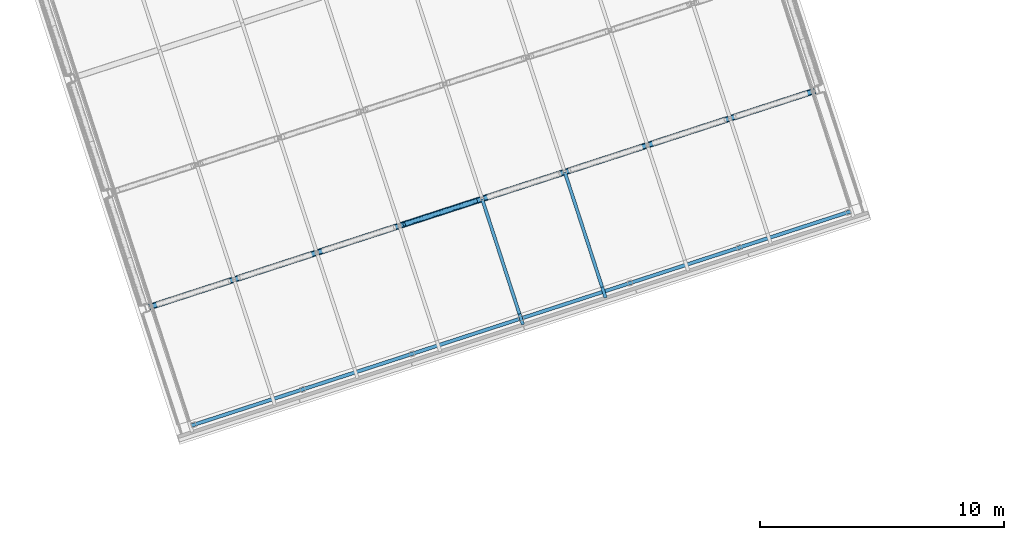
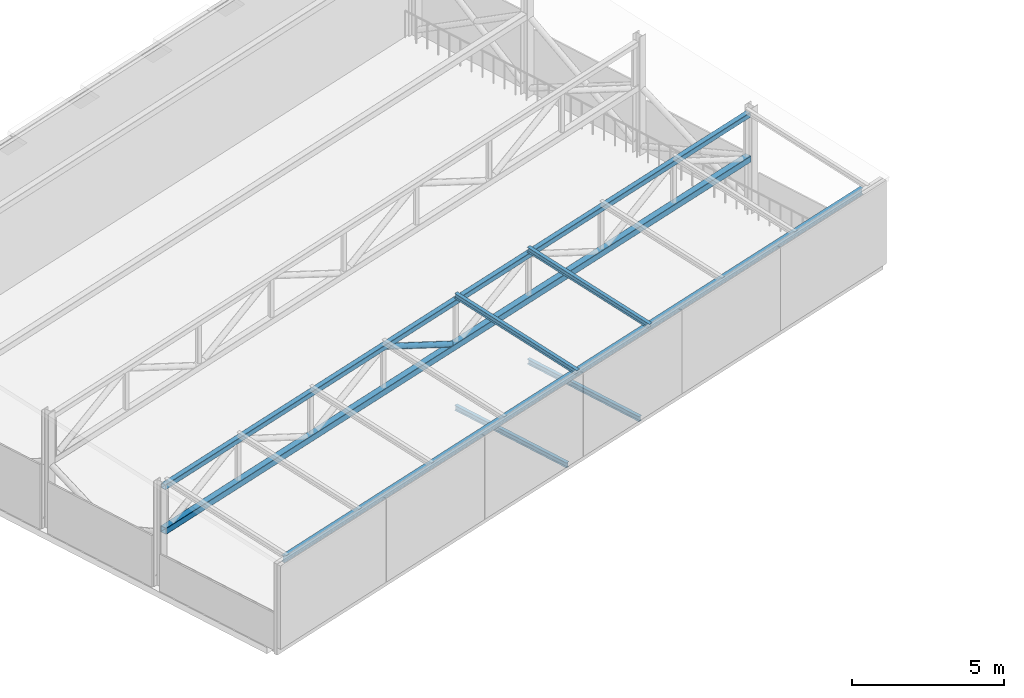
# One storey, part 6 of 49: 7 members, 1 beam.
"""IFC4 building model written with IfcOpenShell, lengths in metres."""

from ifc_helpers import new_model, si_unit, direction, frame, origin, origin_2d, place, context, subcontext, project, spatial, hollow_rectangle, hollow_circle, i_section, extrude, material, material_profile, profile_set, type_object, element, save


model = new_model("IFC4")

# Units and contexts
model_context = context("Model", 3, precision=1e-05, world=origin(), true_north=direction((0.0, 1.0)))
body_context = subcontext(model_context, "Body", "Model", "MODEL_VIEW")
ifc_project = project(units=[si_unit("LENGTHUNIT", "METRE"), si_unit("AREAUNIT", "SQUARE_METRE"), si_unit("VOLUMEUNIT", "CUBIC_METRE"), si_unit("PLANEANGLEUNIT", "RADIAN"), si_unit("MASSUNIT", "GRAM", prefix="KILO")], contexts=[model_context])

# Site, building, storey
site_placement = place(None, origin())
site = spatial("IfcSite", under=ifc_project, at=site_placement, CompositionType="ELEMENT")
building_placement = place(site_placement, origin())
building = spatial("IfcBuilding", under=site, at=building_placement, Name="Tuart Plaza Theatre", CompositionType="ELEMENT")
storey_placement = place(building_placement, frame((0.0, 0.0, 29.5)))
storey = spatial("IfcBuildingStorey", under=building, at=storey_placement, Name="L07", CompositionType="ELEMENT", Elevation=29.5)

# Beam
ifc_material_1 = material(Name="Steel Grade 300", Category="steel")
ifc_material_profile_1 = material_profile(ifc_material_1, i_section(OverallWidth=0.14599609375, OverallDepth=0.256103515625, WebThickness=0.00634765625, FlangeThickness=0.010986328125, FilletRadius=0.0087890625, at=origin_2d()), Name="250UB37.3")
ifc_profile_set_1 = profile_set([ifc_material_profile_1], Name="Steel Grade 300")
beam_type = type_object("IfcBeamType", Name="BEAM 250UB37.3", PredefinedType="BEAM", material=ifc_profile_set_1)
beam_placement = place(storey_placement, frame((41.6328125, 68.72216796875, 3.358642578125), z_axis=(0.951056113966, 0.309018232614, 0.0), x_axis=(-0.309018232614, 0.951056113966, 0.0)))
element("IfcBeam", 1, at=beam_placement, inside=storey, type_object=beam_type, Name="SB99", PredefinedType="BEAM", context=body_context, shape_type="SweptSolid", body=[
    extrude(i_section(OverallWidth=0.14599609375, OverallDepth=0.256103515625, WebThickness=0.00634765625, FlangeThickness=0.010986328125, FilletRadius=0.0087890625, at=origin_2d()), origin(), (0.0, 0.0, 1.0), 28.39990234375),
])

# Members
ifc_material_2 = material(Name="Steel Grade C350L0", Category="steel")
ifc_material_profile_2 = material_profile(ifc_material_2, hollow_circle(Radius=0.109619140625, WallThickness=0.00830078125, at=origin_2d()), Name="219.1x8.2 CHS")
ifc_profile_set_2 = profile_set([ifc_material_profile_2], Name="Steel Grade C350L0")
member_type_1 = type_object("IfcMemberType", Name="MEMBER Brace 219.1x8.2 CHS", PredefinedType="BRACE", material=ifc_profile_set_2)
member_1_placement = place(storey_placement, frame((50.35302734375, 76.970703125, 3.824951171875), z_axis=(0.853572626097, 0.277345791654, -0.441013700273), x_axis=(-0.30902025289, 0.951055457533, 0.0)))
element("IfcMember", 2, at=member_1_placement, inside=storey, type_object=member_type_1, Name="BR66", PredefinedType="BRACE", context=body_context, shape_type="SweptSolid", body=[
    extrude(hollow_circle(Radius=0.109619140625, WallThickness=0.00830078125, at=origin_2d()), origin(), (0.0, 0.0, 1.0), 3.457763671875),
])
ifc_material_3 = material(Name="Steel Grade C350L0", Category="steel")
ifc_material_profile_3 = material_profile(ifc_material_3, hollow_rectangle(XDim=0.199951171875, YDim=0.199951171875, WallThickness=0.010009765625, InnerFilletRadius=0.010009765625, OuterFilletRadius=0.02001953125, at=origin_2d()), Name="200x200x10 SHS")
ifc_profile_set_3 = profile_set([ifc_material_profile_3], Name="Steel Grade C350L0")
member_type_2 = type_object("IfcMemberType", Name="MEMBER Chord 200x200x10 SHS", PredefinedType="CHORD", material=ifc_profile_set_3)
member_2_placement = place(storey_placement, frame((39.904052734375, 73.57568359375, 3.925048828125), z_axis=(0.951057455202, 0.309014104702, 0.0), x_axis=(-0.309014104702, 0.951057455202, 0.0)))
element("IfcMember", 3, at=member_2_placement, inside=storey, type_object=member_type_2, Name="CH20", PredefinedType="CHORD", context=body_context, shape_type="SweptSolid", body=[
    extrude(hollow_rectangle(XDim=0.199951171875, YDim=0.199951171875, WallThickness=0.010009765625, InnerFilletRadius=0.010009765625, OuterFilletRadius=0.02001953125, at=origin_2d()), origin(), (0.0, 0.0, 1.0), 28.688720703125),
])
ifc_material_4 = material(Name="Steel Grade C350L0", Category="steel")
ifc_material_profile_4 = material_profile(ifc_material_4, hollow_rectangle(XDim=0.25, YDim=0.25, WallThickness=0.010009765625, InnerFilletRadius=0.010009765625, OuterFilletRadius=0.02001953125, at=origin_2d()), Name="250x250x10 SHS")
ifc_profile_set_4 = profile_set([ifc_material_profile_4], Name="Steel Grade C350L0")
member_type_3 = type_object("IfcMemberType", Name="MEMBER Chord 250x250x10 SHS", PredefinedType="CHORD", material=ifc_profile_set_4)
member_3_placement = place(storey_placement, frame((39.904052734375, 73.57568359375, 2.175048828125), z_axis=(0.951057455202, 0.309014104702, 0.0), x_axis=(-0.309014104702, 0.951057455202, 0.0)))
element("IfcMember", 4, at=member_3_placement, inside=storey, type_object=member_type_3, Name="CH19", PredefinedType="CHORD", context=body_context, shape_type="SweptSolid", body=[
    extrude(hollow_rectangle(XDim=0.25, YDim=0.25, WallThickness=0.010009765625, InnerFilletRadius=0.010009765625, OuterFilletRadius=0.02001953125, at=origin_2d()), origin(), (0.0, 0.0, 1.0), 28.688720703125),
])
ifc_material_5 = material(Name="Steel Grade 300", Category="steel")
ifc_material_profile_5 = material_profile(ifc_material_5, i_section(OverallWidth=0.133056640625, OverallDepth=0.202880859375, WebThickness=0.005859375, FlangeThickness=0.0078125, FilletRadius=0.0087890625, at=origin_2d()), Name="200UB25.4")
ifc_profile_set_5 = profile_set([ifc_material_profile_5], Name="Steel Grade 300")
member_type_4 = type_object("IfcMemberType", Name="MEMBER Purlin 200UB25.4", PredefinedType="PURLIN", material=ifc_profile_set_5)
for number, where, z_axis, x_axis, name in (
    (5, (55.075927734375, 73.300537109375, -0.3515625), (-0.308997967382, 0.951062698329, 0.0), (-0.951062698329, -0.308997967382, 0.0), "PU59"),
    (6, (58.462890625, 74.40087890625, -0.3515625), (-0.308997967382, 0.951062698329, 0.0), (-0.951062698329, -0.308997967382, 0.0), "PU63"),
):
    element("IfcMember", number, at=place(storey_placement, frame(where, z_axis=z_axis, x_axis=x_axis)), inside=storey, type_object=member_type_4, Name=name, PredefinedType="PURLIN", context=body_context, shape_type="SweptSolid", body=[
        extrude(i_section(OverallWidth=0.133056640625, OverallDepth=0.202880859375, WebThickness=0.005859375, FlangeThickness=0.0078125, FilletRadius=0.0087890625, at=origin_2d()), origin(), (0.0, 0.0, 1.0), 4.949951171875),
    ])
for number, where, z_axis, x_axis, name in (
    (7, (55.215087890625, 72.87255859375, 3.570068359375), (-0.307324819352, 0.945850021931, 0.10449493492), (-0.951056658866, -0.309016555588, 0.0), "PU95"),
    (8, (58.60205078125, 73.972900390625, 3.570068359375), (-0.307324819352, 0.945850021931, 0.10449493492), (-0.951056658866, -0.309016555588, 0.0), "PU99"),
):
    element("IfcMember", number, at=place(storey_placement, frame(where, z_axis=z_axis, x_axis=x_axis)), inside=storey, type_object=member_type_4, Name=name, PredefinedType="PURLIN", context=body_context, shape_type="SweptSolid", body=[
        extrude(i_section(OverallWidth=0.133056640625, OverallDepth=0.202880859375, WebThickness=0.005859375, FlangeThickness=0.0078125, FilletRadius=0.0087890625, at=origin_2d()), origin(), (0.0, 0.0, 1.0), 5.4296875),
    ])

save(model, "model.ifc")
